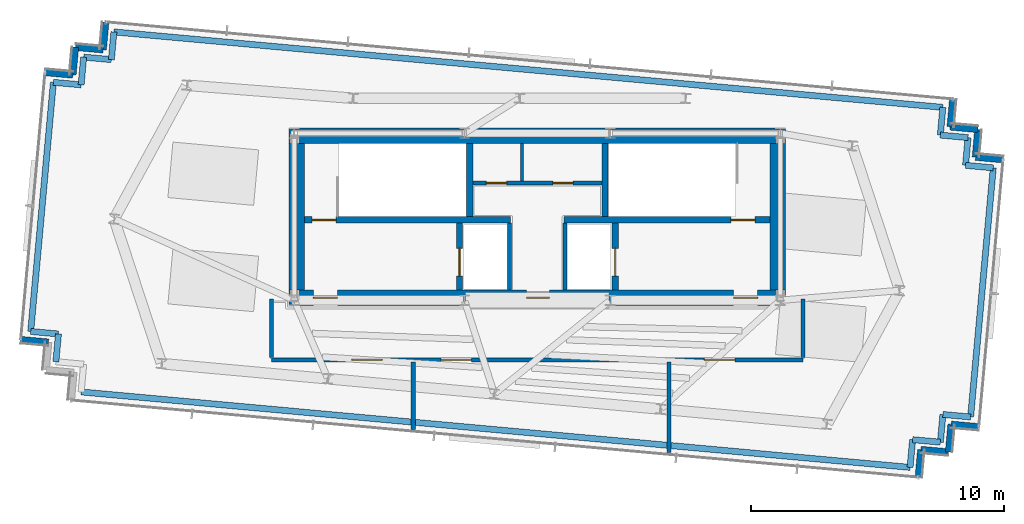
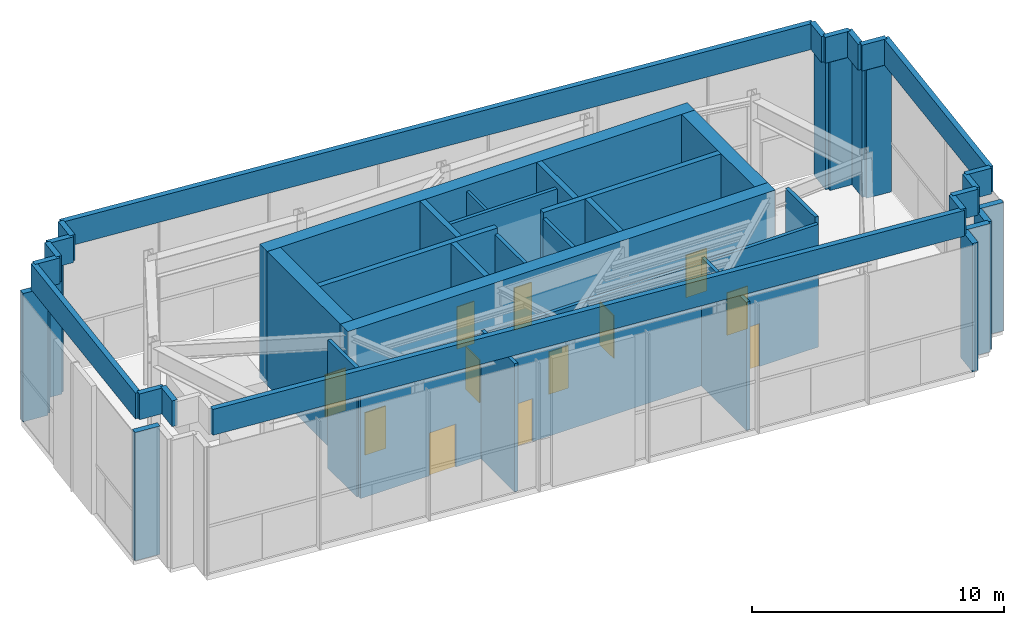
# One storey, part 16 of 18: 50 walls, 12 doors, 12 openings.
"""IFC4 building model written with IfcOpenShell, lengths in metres."""

from ifc_helpers import new_model, si_unit, direction, frame, frame_2d, origin, place, context, subcontext, project, spatial, rectangle, extrude, source, transform, mapped, material, layer, layer_set, type_object, type_shapes, element, fill, save


model = new_model("IFC4")

# Units and contexts
model_context = context("Model", 3, precision=1e-05, world=origin(), true_north=direction((0.0, 1.0)))
body_context = subcontext(model_context, "Body", "Model", "MODEL_VIEW")
ifc_project = project(units=[si_unit("LENGTHUNIT", "METRE"), si_unit("AREAUNIT", "SQUARE_METRE"), si_unit("VOLUMEUNIT", "CUBIC_METRE"), si_unit("PLANEANGLEUNIT", "RADIAN"), si_unit("MASSUNIT", "GRAM", prefix="KILO")], contexts=[model_context])

# Site, building, storey
site_placement = place(None, origin())
site = spatial("IfcSite", under=ifc_project, at=site_placement, CompositionType="ELEMENT")
building_placement = place(site_placement, origin())
building = spatial("IfcBuilding", under=site, at=building_placement, Name="Astriad Promenade Condominiums", CompositionType="ELEMENT")
storey_placement = place(building_placement, frame((0.0, 0.0, 290.300048828125)))
storey = spatial("IfcBuildingStorey", under=building, at=storey_placement, Name="L80", CompositionType="ELEMENT", Elevation=290.300048828125)

# Wall, openings, doors
ifc_material_1 = material(Name="Concrete C50/60", Category="concrete")
ifc_layer_1 = layer(ifc_material_1, 0.60009765625)
ifc_layer_set_1 = layer_set([ifc_layer_1], Name="Concrete C50/60")
wall_type_1 = type_object("IfcWallType", Name="CW-SHEAR-600", PredefinedType="SHEAR", material=ifc_layer_set_1)
wall_1_placement = place(storey_placement, frame((26.199951171875, 17.5, 0.0), z_axis=(0.0, 0.0, 1.0), x_axis=(1.0, 0.0, 0.0)))
wall_1 = element("IfcWall", 1, at=wall_1_placement, inside=storey, type_object=wall_type_1, Name="CW-CORE-S-L80", PredefinedType="SHEAR", context=body_context, shape_type="SweptSolid", body=[
    extrude(rectangle(XDim=19.60009765625, YDim=0.60009765625, at=frame_2d((9.800048828125, 0.0))), origin(), (0.0, 0.0, 1.0), 6.5),
])
opening_1_placement = place(wall_1_placement, frame((0.949951171875, 0.0, 0.0)))
opening_1 = element("IfcOpeningElement", 2, at=opening_1_placement, cuts=wall_1, Name="Opening FD90-ST-095", PredefinedType="OPENING", context=body_context, shape_type="SweptSolid", body=[
    extrude(rectangle(XDim=0.949951171875, YDim=2.06005859375, at=frame_2d((0.47509765625, 1.030029296875))), frame((0.0, 0.31005859375, 0.0), z_axis=(0.0, -1.0, 0.0), x_axis=(1.0, 0.0, 0.0)), (0.0, 0.0, 1.0), 0.6201171875),
])
opening_2_placement = place(wall_1_placement, frame((9.3798828125, 0.0, 0.0)))
opening_2 = element("IfcOpeningElement", 3, at=opening_2_placement, cuts=wall_1, Name="Opening FD60-CSL-090", PredefinedType="OPENING", context=body_context, shape_type="SweptSolid", body=[
    extrude(rectangle(XDim=0.89990234375, YDim=2.06005859375, at=frame_2d((0.449951171875, 1.030029296875))), frame((0.0, 0.31005859375, 0.0), z_axis=(0.0, -1.0, 0.0), x_axis=(1.0, 0.0, 0.0)), (0.0, 0.0, 1.0), 0.6201171875),
])
opening_3_placement = place(wall_1_placement, frame((17.550048828125, 0.0, 0.0)))
opening_3 = element("IfcOpeningElement", 4, at=opening_3_placement, cuts=wall_1, Name="Opening FD90-ST-095", PredefinedType="OPENING", context=body_context, shape_type="SweptSolid", body=[
    extrude(rectangle(XDim=0.949951171875, YDim=2.06005859375, at=frame_2d((0.47509765625, 1.030029296875))), frame((0.0, 0.31005859375, 0.0), z_axis=(0.0, -1.0, 0.0), x_axis=(1.0, 0.0, 0.0)), (0.0, 0.0, 1.0), 0.6201171875),
])
ifc_material_2 = material(Name="Fire-Rated Hollow Metal Stair Door")
door_type_1 = type_object("IfcDoorType", Name="FD90-ST-095", OperationType="NOTDEFINED", PredefinedType="DOOR", material=ifc_material_2)
shared_shape_1 = source(origin(), body_context, "Body", "SweptSolid", [
    extrude(rectangle(XDim=0.949951171875, YDim=2.06005859375, at=frame_2d((0.47509765625, 1.030029296875))), frame((0.0, 0.02490234375, 0.0), z_axis=(0.0, -1.0, 0.0), x_axis=(1.0, 0.0, 0.0)), (0.0, 0.0, 1.0), 0.050048828125),
])
type_shapes(door_type_1, [shared_shape_1])
door_1_placement = place(opening_1_placement, origin())
door_1 = element("IfcDoor", 5, at=door_1_placement, inside=storey, type_object=door_type_1, Name="D-FFW-L80", OperationType="SINGLE_SWING_LEFT", OverallHeight=2.06005859375, OverallWidth=0.949951171875, PredefinedType="DOOR", context=body_context, shape_type="MappedRepresentation", body=[
    mapped(shared_shape_1, transform((0.0, 0.0, 0.0), scale=1.0)),
])
fill(opening_1, door_1)
door_2_placement = place(opening_3_placement, origin())
door_2 = element("IfcDoor", 6, at=door_2_placement, inside=storey, type_object=door_type_1, Name="D-FFE-L80", OperationType="SINGLE_SWING_RIGHT", OverallHeight=2.06005859375, OverallWidth=0.949951171875, PredefinedType="DOOR", context=body_context, shape_type="MappedRepresentation", body=[
    mapped(shared_shape_1, transform((0.0, 0.0, 0.0), scale=1.0)),
])
fill(opening_3, door_2)
ifc_material_3 = material(Name="Fire-Rated Service Lobby Door")
door_type_2 = type_object("IfcDoorType", Name="FD60-CSL-090", OperationType="NOTDEFINED", PredefinedType="DOOR", material=ifc_material_3)
shared_shape_2 = source(origin(), body_context, "Body", "SweptSolid", [
    extrude(rectangle(XDim=0.89990234375, YDim=2.06005859375, at=frame_2d((0.449951171875, 1.030029296875))), frame((0.0, 0.02490234375, 0.0), z_axis=(0.0, -1.0, 0.0), x_axis=(1.0, 0.0, 0.0)), (0.0, 0.0, 1.0), 0.050048828125),
])
type_shapes(door_type_2, [shared_shape_2])
door_3_placement = place(opening_2_placement, origin())
door_3 = element("IfcDoor", 7, at=door_3_placement, inside=storey, type_object=door_type_2, Name="D-CSL-L80", OperationType="SINGLE_SWING_RIGHT", OverallHeight=2.06005859375, OverallWidth=0.89990234375, PredefinedType="DOOR", context=body_context, shape_type="MappedRepresentation", body=[
    mapped(shared_shape_2, transform((0.0, 0.0, 0.0), scale=1.0)),
])
fill(opening_2, door_3)

# Walls
wall_2_placement = place(storey_placement, frame((26.199951171875, 23.89990234375, 0.0), z_axis=(0.0, 0.0, 1.0), x_axis=(1.0, 0.0, 0.0)))
element("IfcWall", 8, at=wall_2_placement, inside=storey, type_object=wall_type_1, Name="CW-CORE-N-L80", PredefinedType="SHEAR", context=body_context, shape_type="SweptSolid", body=[
    extrude(rectangle(XDim=19.60009765625, YDim=0.60009765625, at=frame_2d((9.800048828125, 0.0))), origin(), (0.0, 0.0, 1.0), 6.5),
])
for number, where, z_axis, x_axis, name in (
    (9, (26.5, 17.802001953125, 0.0), (0.0, 0.0, 1.0), (0.0, 1.0, 0.0), "CW-CORE-W-L80"),
    (10, (45.5, 17.802001953125, 0.0), (0.0, 0.0, 1.0), (0.0, 1.0, 0.0), "CW-CORE-E-L80"),
):
    element("IfcWall", number, at=place(storey_placement, frame(where, z_axis=z_axis, x_axis=x_axis)), inside=storey, type_object=wall_type_1, Name=name, PredefinedType="SHEAR", context=body_context, shape_type="SweptSolid", body=[
        extrude(rectangle(XDim=5.7958984375, YDim=0.60009765625, at=frame_2d((2.89794921875, 0.0))), origin(), (0.0, 0.0, 1.0), 6.5),
    ])

# Wall, opening, door
ifc_layer_2 = layer(ifc_material_1, 0.25)
ifc_layer_set_2 = layer_set([ifc_layer_2], Name="Concrete C50/60")
wall_type_2 = type_object("IfcWallType", Name="WALL-CORE-INT-250", PredefinedType="SOLIDWALL", material=ifc_layer_set_2)
wall_3_placement = place(storey_placement, frame((26.802001953125, 20.574951171875, 0.0), z_axis=(0.0, 0.0, 1.0), x_axis=(1.0, 0.0, 0.0)))
wall_3 = element("IfcWall", 11, at=wall_3_placement, inside=storey, type_object=wall_type_2, Name="CW-INT-H1-L80", PredefinedType="SOLIDWALL", context=body_context, shape_type="SweptSolid", body=[
    extrude(rectangle(XDim=8.14794921875, YDim=0.25, at=frame_2d((4.073974609375, 0.0))), origin(), (0.0, 0.0, 1.0), 6.5),
])
opening_4_placement = place(wall_3_placement, frame((0.298095703125, 0.0, 0.0)))
opening_4 = element("IfcOpeningElement", 12, at=opening_4_placement, cuts=wall_3, Name="Opening FD90-ST-095", PredefinedType="OPENING", context=body_context, shape_type="SweptSolid", body=[
    extrude(rectangle(XDim=0.949951171875, YDim=2.06005859375, at=frame_2d((0.47509765625, 1.030029296875))), frame((0.0, 0.135009765625, 0.0), z_axis=(0.0, -1.0, 0.0), x_axis=(1.0, 0.0, 0.0)), (0.0, 0.0, 1.0), 0.27001953125),
])
door_4_placement = place(opening_4_placement, origin())
door_4 = element("IfcDoor", 13, at=door_4_placement, inside=storey, type_object=door_type_1, Name="D-ST1-L80", OperationType="SINGLE_SWING_LEFT", OverallHeight=2.06005859375, OverallWidth=0.949951171875, PredefinedType="DOOR", context=body_context, shape_type="MappedRepresentation", body=[
    mapped(shared_shape_1, transform((0.0, 0.0, 0.0), scale=1.0)),
])
fill(opening_4, door_4)

wall_4_placement = place(storey_placement, frame((37.050048828125, 20.574951171875, 0.0), z_axis=(0.0, 0.0, 1.0), x_axis=(1.0, 0.0, 0.0)))
wall_4 = element("IfcWall", 14, at=wall_4_placement, inside=storey, type_object=wall_type_2, Name="CW-INT-H2-L80", PredefinedType="SOLIDWALL", context=body_context, shape_type="SweptSolid", body=[
    extrude(rectangle(XDim=8.14794921875, YDim=0.25, at=frame_2d((4.073974609375, 0.0))), origin(), (0.0, 0.0, 1.0), 6.5),
])
opening_5_placement = place(wall_4_placement, frame((6.60009765625, 0.0, 0.0)))
opening_5 = element("IfcOpeningElement", 15, at=opening_5_placement, cuts=wall_4, Name="Opening FD90-ST-095", PredefinedType="OPENING", context=body_context, shape_type="SweptSolid", body=[
    extrude(rectangle(XDim=0.949951171875, YDim=2.06005859375, at=frame_2d((0.47509765625, 1.030029296875))), frame((0.0, 0.135009765625, 0.0), z_axis=(0.0, -1.0, 0.0), x_axis=(1.0, 0.0, 0.0)), (0.0, 0.0, 1.0), 0.27001953125),
])
door_5_placement = place(opening_5_placement, origin())
door_5 = element("IfcDoor", 16, at=door_5_placement, inside=storey, type_object=door_type_1, Name="D-ST2-L80", OperationType="SINGLE_SWING_RIGHT", OverallHeight=2.06005859375, OverallWidth=0.949951171875, PredefinedType="DOOR", context=body_context, shape_type="MappedRepresentation", body=[
    mapped(shared_shape_1, transform((0.0, 0.0, 0.0), scale=1.0)),
])
fill(opening_5, door_5)

# Walls
for number, where, z_axis, x_axis, name in (
    (17, (33.324951171875, 20.701904296875, 0.0), (0.0, 0.0, 1.0), (0.0, 1.0, 0.0), "CW-ST1-E-L80"),
    (18, (38.675048828125, 20.701904296875, 0.0), (0.0, 0.0, 1.0), (0.0, 1.0, 0.0), "CW-ST2-W-L80"),
):
    element("IfcWall", number, at=place(storey_placement, frame(where, z_axis=z_axis, x_axis=x_axis)), inside=storey, type_object=wall_type_2, Name=name, PredefinedType="SOLIDWALL", context=body_context, shape_type="SweptSolid", body=[
        extrude(rectangle(XDim=2.89599609375, YDim=0.25, at=frame_2d((1.447998046875, 0.0))), origin(), (0.0, 0.0, 1.0), 6.5),
    ])

# Wall, opening, door
wall_5_placement = place(storey_placement, frame((32.925048828125, 17.802001953125, 0.0), z_axis=(0.0, 0.0, 1.0), x_axis=(0.0, 1.0, 0.0)))
wall_5 = element("IfcWall", 19, at=wall_5_placement, inside=storey, type_object=wall_type_2, Name="CW-FFL1-W-L80", PredefinedType="SOLIDWALL", context=body_context, shape_type="SweptSolid", body=[
    extrude(rectangle(XDim=2.64599609375, YDim=0.25, at=frame_2d((1.322998046875, 0.0))), origin(), (0.0, 0.0, 1.0), 6.5),
])
opening_6_placement = place(wall_5_placement, frame((0.548095703125, 0.0, 0.0)))
opening_6 = element("IfcOpeningElement", 20, at=opening_6_placement, cuts=wall_5, Name="Opening LD-FFL-1122", PredefinedType="OPENING", context=body_context, shape_type="SweptSolid", body=[
    extrude(rectangle(XDim=1.10009765625, YDim=2.080078125, at=frame_2d((0.550048828125, 1.0400390625))), frame((0.0, 0.135009765625, 0.0), z_axis=(0.0, -1.0, 0.0), x_axis=(1.0, 0.0, 0.0)), (0.0, 0.0, 1.0), 0.27001953125),
])
ifc_material_4 = material(Name="Brushed Stainless Steel Fire Elevator Landing Door", Category="steel")
door_type_3 = type_object("IfcDoorType", Name="LD-FFL-1122", OperationType="NOTDEFINED", PredefinedType="DOOR", material=ifc_material_4)
shared_shape_3 = source(origin(), body_context, "Body", "SweptSolid", [
    extrude(rectangle(XDim=1.10009765625, YDim=2.080078125, at=frame_2d((0.550048828125, 1.0400390625))), frame((0.0, 0.02490234375, 0.0), z_axis=(0.0, -1.0, 0.0), x_axis=(1.0, 0.0, 0.0)), (0.0, 0.0, 1.0), 0.050048828125),
])
type_shapes(door_type_3, [shared_shape_3])
door_6_placement = place(opening_6_placement, origin())
door_6 = element("IfcDoor", 21, at=door_6_placement, inside=storey, type_object=door_type_3, Name="Elevator Landing Door FFL-1 (L80)", OperationType="SLIDING_TO_LEFT", OverallHeight=2.080078125, OverallWidth=1.10009765625, PredefinedType="DOOR", context=body_context, shape_type="MappedRepresentation", body=[
    mapped(shared_shape_3, transform((0.0, 0.0, 0.0), scale=1.0)),
])
fill(opening_6, door_6)

wall_6_placement = place(storey_placement, frame((39.074951171875, 17.802001953125, 0.0), z_axis=(0.0, 0.0, 1.0), x_axis=(0.0, 1.0, 0.0)))
wall_6 = element("IfcWall", 22, at=wall_6_placement, inside=storey, type_object=wall_type_2, Name="CW-FFL2-E-L80", PredefinedType="SOLIDWALL", context=body_context, shape_type="SweptSolid", body=[
    extrude(rectangle(XDim=2.64599609375, YDim=0.25, at=frame_2d((1.322998046875, 0.0))), origin(), (0.0, 0.0, 1.0), 6.5),
])
opening_7_placement = place(wall_6_placement, frame((0.548095703125, 0.0, 0.0)))
opening_7 = element("IfcOpeningElement", 23, at=opening_7_placement, cuts=wall_6, Name="Opening LD-FFL-1122", PredefinedType="OPENING", context=body_context, shape_type="SweptSolid", body=[
    extrude(rectangle(XDim=1.10009765625, YDim=2.080078125, at=frame_2d((0.550048828125, 1.0400390625))), frame((0.0, 0.135009765625, 0.0), z_axis=(0.0, -1.0, 0.0), x_axis=(1.0, 0.0, 0.0)), (0.0, 0.0, 1.0), 0.27001953125),
])
door_7_placement = place(opening_7_placement, origin())
door_7 = element("IfcDoor", 24, at=door_7_placement, inside=storey, type_object=door_type_3, Name="Elevator Landing Door FFL-2 (L80)", OperationType="SLIDING_TO_RIGHT", OverallHeight=2.080078125, OverallWidth=1.10009765625, PredefinedType="DOOR", context=body_context, shape_type="MappedRepresentation", body=[
    mapped(shared_shape_3, transform((0.0, 0.0, 0.0), scale=1.0)),
])
fill(opening_7, door_7)

# Walls
ifc_material_5 = material(Name="Fire-Rated Gypsum Partition")
ifc_layer_3 = layer(ifc_material_5, 0.159912109375)
ifc_layer_set_3 = layer_set([ifc_layer_3], Name="Fire-Rated Gypsum Partition")
wall_type_3 = type_object("IfcWallType", Name="WALL-CORR-160", PredefinedType="PARTITIONING", material=ifc_layer_set_3)
for number, where, z_axis, x_axis, name in (
    (25, (34.89990234375, 17.802001953125, 0.0), (0.0, 0.0, 1.0), (0.0, 1.0, 0.0), "CW-FFL1-E-L80"),
    (26, (37.10009765625, 17.802001953125, 0.0), (0.0, 0.0, 1.0), (0.0, 1.0, 0.0), "CW-FFL2-W-L80"),
):
    element("IfcWall", number, at=place(storey_placement, frame(where, z_axis=z_axis, x_axis=x_axis)), inside=storey, type_object=wall_type_3, Name=name, PredefinedType="PARTITIONING", context=body_context, shape_type="SweptSolid", body=[
        extrude(rectangle(XDim=2.64599609375, YDim=0.159912109375, at=frame_2d((1.322998046875, 0.0))), origin(), (0.0, 0.0, 1.0), 6.219970703125),
    ])

# Wall, openings, doors
wall_7_placement = place(storey_placement, frame((33.451904296875, 22.030029296875, 0.0), z_axis=(0.0, 0.0, 1.0), x_axis=(1.0, 0.0, 0.0)))
wall_7 = element("IfcWall", 27, at=wall_7_placement, inside=storey, type_object=wall_type_3, Name="CW-AUX-N-L80", PredefinedType="PARTITIONING", context=body_context, shape_type="SweptSolid", body=[
    extrude(rectangle(XDim=5.09619140625, YDim=0.159912109375, at=frame_2d((2.548095703125, 0.0))), origin(), (0.0, 0.0, 1.0), 6.219970703125),
])
opening_8_placement = place(wall_7_placement, frame((0.5380859375, 0.0, 0.0)))
opening_8 = element("IfcOpeningElement", 28, at=opening_8_placement, cuts=wall_7, Name="Opening FD60-SV-080", PredefinedType="OPENING", context=body_context, shape_type="SweptSolid", body=[
    extrude(rectangle(XDim=0.800048828125, YDim=2.050048828125, at=frame_2d((0.39990234375, 1.02490234375))), frame((0.0, 0.08984375, 0.0), z_axis=(0.0, -1.0, 0.0), x_axis=(1.0, 0.0, 0.0)), (0.0, 0.0, 1.0), 0.179931640625),
])
opening_9_placement = place(wall_7_placement, frame((3.157958984375, 0.0, 0.0)))
opening_9 = element("IfcOpeningElement", 29, at=opening_9_placement, cuts=wall_7, Name="Opening FD60-SV-080", PredefinedType="OPENING", context=body_context, shape_type="SweptSolid", body=[
    extrude(rectangle(XDim=0.800048828125, YDim=2.050048828125, at=frame_2d((0.39990234375, 1.02490234375))), frame((0.0, 0.08984375, 0.0), z_axis=(0.0, -1.0, 0.0), x_axis=(1.0, 0.0, 0.0)), (0.0, 0.0, 1.0), 0.179931640625),
])
ifc_material_6 = material(Name="Fire-Rated Riser Closet Door")
door_type_4 = type_object("IfcDoorType", Name="FD60-SV-080", OperationType="NOTDEFINED", PredefinedType="DOOR", material=ifc_material_6)
shared_shape_4 = source(origin(), body_context, "Body", "SweptSolid", [
    extrude(rectangle(XDim=0.800048828125, YDim=2.050048828125, at=frame_2d((0.39990234375, 1.02490234375))), frame((0.0, 0.02490234375, 0.0), z_axis=(0.0, -1.0, 0.0), x_axis=(1.0, 0.0, 0.0)), (0.0, 0.0, 1.0), 0.050048828125),
])
type_shapes(door_type_4, [shared_shape_4])
door_8_placement = place(opening_8_placement, origin())
door_8 = element("IfcDoor", 30, at=door_8_placement, inside=storey, type_object=door_type_4, Name="D-AUX1-L80", OperationType="SINGLE_SWING_LEFT", OverallHeight=2.050048828125, OverallWidth=0.800048828125, PredefinedType="DOOR", context=body_context, shape_type="MappedRepresentation", body=[
    mapped(shared_shape_4, transform((0.0, 0.0, 0.0), scale=1.0)),
])
fill(opening_8, door_8)
door_9_placement = place(opening_9_placement, origin())
door_9 = element("IfcDoor", 31, at=door_9_placement, inside=storey, type_object=door_type_4, Name="D-AUX2-L80", OperationType="SINGLE_SWING_RIGHT", OverallHeight=2.050048828125, OverallWidth=0.800048828125, PredefinedType="DOOR", context=body_context, shape_type="MappedRepresentation", body=[
    mapped(shared_shape_4, transform((0.0, 0.0, 0.0), scale=1.0)),
])
fill(opening_9, door_9)

wall_8_placement = place(storey_placement, frame((25.5, 15.050048828125, 0.0), z_axis=(0.0, 0.0, 1.0), x_axis=(1.0, 0.0, 0.0)))
wall_8 = element("IfcWall", 32, at=wall_8_placement, inside=storey, type_object=wall_type_3, Name="PT-L80-CS", PredefinedType="PARTITIONING", context=body_context, shape_type="SweptSolid", body=[
    extrude(rectangle(XDim=21.0, YDim=0.159912109375, at=frame_2d((10.5, 0.0))), origin(), (0.0, 0.0, 1.0), 5.947998046875),
])
opening_10_placement = place(wall_8_placement, frame((3.169921875, 0.0, 0.0)))
opening_10 = element("IfcOpeningElement", 33, at=opening_10_placement, cuts=wall_8, Name="Opening FD90-PLT-1222", PredefinedType="OPENING", context=body_context, shape_type="SweptSolid", body=[
    extrude(rectangle(XDim=1.199951171875, YDim=2.080078125, at=frame_2d((0.60009765625, 1.0400390625))), frame((0.0, 0.08984375, 0.0), z_axis=(0.0, -1.0, 0.0), x_axis=(1.0, 0.0, 0.0)), (0.0, 0.0, 1.0), 0.179931640625),
])
opening_11_placement = place(wall_8_placement, frame((6.699951171875, 0.0, 0.0)))
opening_11 = element("IfcOpeningElement", 34, at=opening_11_placement, cuts=wall_8, Name="Opening FD90-PLT-1222", PredefinedType="OPENING", context=body_context, shape_type="SweptSolid", body=[
    extrude(rectangle(XDim=1.199951171875, YDim=2.080078125, at=frame_2d((0.60009765625, 1.0400390625))), frame((0.0, 0.08984375, 0.0), z_axis=(0.0, -1.0, 0.0), x_axis=(1.0, 0.0, 0.0)), (0.0, 0.0, 1.0), 0.179931640625),
])
opening_12_placement = place(wall_8_placement, frame((17.10009765625, 0.0, 0.0)))
opening_12 = element("IfcOpeningElement", 35, at=opening_12_placement, cuts=wall_8, Name="Opening FD90-PLT-1222", PredefinedType="OPENING", context=body_context, shape_type="SweptSolid", body=[
    extrude(rectangle(XDim=1.199951171875, YDim=2.080078125, at=frame_2d((0.60009765625, 1.0400390625))), frame((0.0, 0.08984375, 0.0), z_axis=(0.0, -1.0, 0.0), x_axis=(1.0, 0.0, 0.0)), (0.0, 0.0, 1.0), 0.179931640625),
])
ifc_material_7 = material(Name="Fire-Rated Double-Insulated Plant Door")
door_type_5 = type_object("IfcDoorType", Name="FD90-PLT-1222", OperationType="NOTDEFINED", PredefinedType="DOOR", material=ifc_material_7)
shared_shape_5 = source(origin(), body_context, "Body", "SweptSolid", [
    extrude(rectangle(XDim=1.199951171875, YDim=2.080078125, at=frame_2d((0.60009765625, 1.0400390625))), frame((0.0, 0.02490234375, 0.0), z_axis=(0.0, -1.0, 0.0), x_axis=(1.0, 0.0, 0.0)), (0.0, 0.0, 1.0), 0.050048828125),
])
type_shapes(door_type_5, [shared_shape_5])
door_10_placement = place(opening_10_placement, origin())
door_10 = element("IfcDoor", 36, at=door_10_placement, inside=storey, type_object=door_type_5, Name="D-L80-PW", OperationType="SINGLE_SWING_LEFT", OverallHeight=2.080078125, OverallWidth=1.199951171875, PredefinedType="DOOR", context=body_context, shape_type="MappedRepresentation", body=[
    mapped(shared_shape_5, transform((0.0, 0.0, 0.0), scale=1.0)),
])
fill(opening_10, door_10)
door_11_placement = place(opening_11_placement, origin())
door_11 = element("IfcDoor", 37, at=door_11_placement, inside=storey, type_object=door_type_5, Name="D-L80-PC", OperationType="SINGLE_SWING_RIGHT", OverallHeight=2.080078125, OverallWidth=1.199951171875, PredefinedType="DOOR", context=body_context, shape_type="MappedRepresentation", body=[
    mapped(shared_shape_5, transform((0.0, 0.0, 0.0), scale=1.0)),
])
fill(opening_11, door_11)
door_12_placement = place(opening_12_placement, origin())
door_12 = element("IfcDoor", 38, at=door_12_placement, inside=storey, type_object=door_type_5, Name="D-L80-PE", OperationType="SINGLE_SWING_LEFT", OverallHeight=2.080078125, OverallWidth=1.199951171875, PredefinedType="DOOR", context=body_context, shape_type="MappedRepresentation", body=[
    mapped(shared_shape_5, transform((0.0, 0.0, 0.0), scale=1.0)),
])
fill(opening_12, door_12)

# Walls
for number, where, z_axis, x_axis, name in (
    (39, (25.5, 15.132080078125, 0.0), (0.0, 0.0, 1.0), (0.0, 1.0, 0.0), "PT-L80-CWSP"),
    (40, (46.5, 15.132080078125, 0.0), (0.0, 0.0, 1.0), (0.0, 1.0, 0.0), "PT-L80-CESP"),
):
    element("IfcWall", number, at=place(storey_placement, frame(where, z_axis=z_axis, x_axis=x_axis)), inside=storey, type_object=wall_type_3, Name=name, PredefinedType="PARTITIONING", context=body_context, shape_type="SweptSolid", body=[
        extrude(rectangle(XDim=2.31787109375, YDim=0.159912109375, at=frame_2d((1.158935546875, 0.0))), origin(), (0.0, 0.0, 1.0), 6.219970703125),
    ])
wall_9_placement = place(storey_placement, frame((31.10009765625, 12.30419921875, 0.0), z_axis=(0.0, 0.0, 1.0), x_axis=(0.0, 1.0, 0.0)))
element("IfcWall", 41, at=wall_9_placement, inside=storey, type_object=wall_type_3, Name="PT-L80-VW", PredefinedType="PARTITIONING", context=body_context, shape_type="SweptSolid", body=[
    extrude(rectangle(XDim=2.663818359375, YDim=0.159912109375, at=frame_2d((1.33203125, 0.0))), origin(), (0.0, 0.0, 1.0), 6.219970703125),
])
wall_10_placement = place(storey_placement, frame((41.199951171875, 11.385009765625, 0.0), z_axis=(0.0, 0.0, 1.0), x_axis=(0.0, 1.0, 0.0)))
element("IfcWall", 42, at=wall_10_placement, inside=storey, type_object=wall_type_3, Name="PT-L80-VE", PredefinedType="PARTITIONING", context=body_context, shape_type="SweptSolid", body=[
    extrude(rectangle(XDim=3.5830078125, YDim=0.159912109375, at=frame_2d((1.79150390625, 0.0))), origin(), (0.0, 0.0, 1.0), 6.219970703125),
])
ifc_material_8 = material(Name="Precast concrete C50/60", Category="concrete")
ifc_layer_4 = layer(ifc_material_8, 0.260009765625)
ifc_layer_set_4 = layer_set([ifc_layer_4], Name="Precast concrete C50/60")
wall_type_4 = type_object("IfcWallType", Name="WALL-EXT-TWR-260", PredefinedType="STANDARD", material=ifc_layer_set_4)
for number, where, z_axis, x_axis, name in (
    (43, (16.693359375, 15.744140625, 0.0), (0.0, 0.0, 1.0), (-0.995891387001, 0.090555757944, 0.0), "W-CRN-L80-02"),
    (44, (16.55859375, 26.400146484375, 0.0), (0.0, 0.0, 1.0), (0.995891387001, -0.090555757944, 0.0), "W-CRN-L80-04"),
    (45, (17.654052734375, 26.300537109375, 0.0), (0.0, 0.0, 1.0), (0.090555757944, 0.995891387001, 0.0), "W-CRN-L80-05"),
    (46, (17.753662109375, 27.39599609375, 0.0), (0.0, 0.0, 1.0), (0.995891387001, -0.090555757944, 0.0), "W-CRN-L80-06"),
    (47, (18.84912109375, 27.29638671875, 0.0), (0.0, 0.0, 1.0), (0.09077588162, 0.995871346769, 0.0), "W-CRN-L80-07"),
    (48, (52.41064453125, 25.346435546875, 0.0), (0.0, 0.0, 1.0), (-0.09077588162, -0.995871346769, 0.0), "W-CRN-L80-09"),
):
    element("IfcWall", number, at=place(storey_placement, frame(where, z_axis=z_axis, x_axis=x_axis)), inside=storey, type_object=wall_type_4, Name=name, PredefinedType="STANDARD", context=body_context, shape_type="SweptSolid", body=[
        extrude(rectangle(XDim=1.10009765625, YDim=0.260009765625, at=frame_2d((0.550048828125, 0.0))), origin(), (0.0, 0.0, 1.0), 6.219970703125),
    ])
wall_11_placement = place(storey_placement, frame((52.310791015625, 24.2509765625, 0.0), z_axis=(0.0, 0.0, 1.0), x_axis=(0.995893206468, -0.090535746043, 0.0)))
element("IfcWall", 49, at=wall_11_placement, inside=storey, type_object=wall_type_4, Name="W-CRN-L80-10", PredefinedType="STANDARD", context=body_context, shape_type="SweptSolid", body=[
    extrude(rectangle(XDim=1.100341796875, YDim=0.260009765625, at=frame_2d((0.55029296875, 0.0))), origin(), (0.0, 0.0, 1.0), 6.219970703125),
])
for number, where, z_axis, x_axis, name in (
    (50, (53.406494140625, 24.1513671875, 0.0), (0.0, 0.0, 1.0), (-0.09077588162, -0.995871346769, 0.0), "W-CRN-L80-11"),
    (51, (53.306640625, 23.055908203125, 0.0), (0.0, 0.0, 1.0), (0.995891387001, -0.090555757944, 0.0), "W-CRN-L80-12"),
    (52, (53.44140625, 12.39990234375, 0.0), (0.0, 0.0, 1.0), (-0.995891387001, 0.090555757944, 0.0), "W-CRN-L80-14"),
    (53, (52.345947265625, 12.49951171875, 0.0), (0.0, 0.0, 1.0), (-0.090555757944, -0.995891387001, 0.0), "W-CRN-L80-15"),
    (54, (52.246337890625, 11.404052734375, 0.0), (0.0, 0.0, 1.0), (-0.995891387001, 0.090555757944, 0.0), "W-CRN-L80-16"),
    (55, (51.15087890625, 11.503662109375, 0.0), (0.0, 0.0, 1.0), (-0.09077588162, -0.995871346769, 0.0), "W-CRN-L80-17"),
):
    element("IfcWall", number, at=place(storey_placement, frame(where, z_axis=z_axis, x_axis=x_axis)), inside=storey, type_object=wall_type_4, Name=name, PredefinedType="STANDARD", context=body_context, shape_type="SweptSolid", body=[
        extrude(rectangle(XDim=1.10009765625, YDim=0.260009765625, at=frame_2d((0.550048828125, 0.0))), origin(), (0.0, 0.0, 1.0), 6.219970703125),
    ])
ifc_material_9 = material(Name="Precast concrete C45/55", Category="concrete")
ifc_layer_5 = layer(ifc_material_9, 0.239990234375)
ifc_layer_set_5 = layer_set([ifc_layer_5], Name="Precast concrete C45/55")
wall_type_5 = type_object("IfcWallType", Name="WALL-PARAPET-240", PredefinedType="PARAPET", material=ifc_layer_set_5)
for number, where, z_axis, x_axis, name in (
    (56, (16.984619140625, 14.974609375, 6.5), (0.0, 0.0, 1.0), (0.09077588162, 0.995871346769, 0.0), "W-PAR-ROOF-01"),
    (57, (17.08447265625, 16.070068359375, 6.5), (0.0, 0.0, 1.0), (-0.995891387001, 0.090555757944, 0.0), "W-PAR-ROOF-02"),
):
    element("IfcWall", number, at=place(storey_placement, frame(where, z_axis=z_axis, x_axis=x_axis)), inside=storey, type_object=wall_type_5, Name=name, PredefinedType="PARAPET", context=body_context, shape_type="SweptSolid", body=[
        extrude(rectangle(XDim=1.10009765625, YDim=0.239990234375, at=frame_2d((0.550048828125, 0.0))), origin(), (0.0, 0.0, 1.0), 1.25),
    ])
wall_12_placement = place(storey_placement, frame((15.989013671875, 16.169677734375, 6.5), z_axis=(0.0, 0.0, 1.0), x_axis=(0.09063823351, 0.995883884108, 0.0)))
element("IfcWall", 58, at=wall_12_placement, inside=storey, type_object=wall_type_5, Name="W-PAR-ROOF-03", PredefinedType="PARAPET", context=body_context, shape_type="SweptSolid", body=[
    extrude(rectangle(XDim=9.880126953125, YDim=0.239990234375, at=frame_2d((4.93994140625, 0.0))), origin(), (0.0, 0.0, 1.0), 1.25),
])
for number, where, z_axis, x_axis, name in (
    (59, (16.884521484375, 26.009033203125, 6.5), (0.0, 0.0, 1.0), (0.995891387001, -0.090555757944, 0.0), "W-PAR-ROOF-04"),
    (60, (17.97998046875, 25.909423828125, 6.5), (0.0, 0.0, 1.0), (0.090555757944, 0.995891387001, 0.0), "W-PAR-ROOF-05"),
    (61, (18.07958984375, 27.0048828125, 6.5), (0.0, 0.0, 1.0), (0.995891387001, -0.090555757944, 0.0), "W-PAR-ROOF-06"),
    (62, (19.175048828125, 26.9052734375, 6.5), (0.0, 0.0, 1.0), (0.09077588162, 0.995871346769, 0.0), "W-PAR-ROOF-07"),
):
    element("IfcWall", number, at=place(storey_placement, frame(where, z_axis=z_axis, x_axis=x_axis)), inside=storey, type_object=wall_type_5, Name=name, PredefinedType="PARAPET", context=body_context, shape_type="SweptSolid", body=[
        extrude(rectangle(XDim=1.10009765625, YDim=0.239990234375, at=frame_2d((0.550048828125, 0.0))), origin(), (0.0, 0.0, 1.0), 1.25),
    ])
wall_13_placement = place(storey_placement, frame((19.27490234375, 28.000732421875, 6.5), z_axis=(0.0, 0.0, 1.0), x_axis=(0.995883767395, -0.090639515878, 0.0)))
element("IfcWall", 63, at=wall_13_placement, inside=storey, type_object=wall_type_5, Name="W-PAR-ROOF-08", PredefinedType="PARAPET", context=body_context, shape_type="SweptSolid", body=[
    extrude(rectangle(XDim=32.8798828125, YDim=0.239990234375, at=frame_2d((16.43994140625, 0.0))), origin(), (0.0, 0.0, 1.0), 1.25),
])
for number, where, z_axis, x_axis, name in (
    (64, (52.01953125, 25.0205078125, 6.5), (0.0, 0.0, 1.0), (-0.090555757944, -0.995891387001, 0.0), "W-PAR-ROOF-09"),
    (65, (51.919921875, 23.925048828125, 6.5), (0.0, 0.0, 1.0), (0.995891387001, -0.090555757944, 0.0), "W-PAR-ROOF-10"),
    (66, (53.015380859375, 23.825439453125, 6.5), (0.0, 0.0, 1.0), (-0.09077588162, -0.995871346769, 0.0), "W-PAR-ROOF-11"),
    (67, (52.91552734375, 22.72998046875, 6.5), (0.0, 0.0, 1.0), (0.995891387001, -0.090555757944, 0.0), "W-PAR-ROOF-12"),
):
    element("IfcWall", number, at=place(storey_placement, frame(where, z_axis=z_axis, x_axis=x_axis)), inside=storey, type_object=wall_type_5, Name=name, PredefinedType="PARAPET", context=body_context, shape_type="SweptSolid", body=[
        extrude(rectangle(XDim=1.10009765625, YDim=0.239990234375, at=frame_2d((0.550048828125, 0.0))), origin(), (0.0, 0.0, 1.0), 1.25),
    ])
wall_14_placement = place(storey_placement, frame((54.010986328125, 22.63037109375, 6.5), z_axis=(0.0, 0.0, 1.0), x_axis=(-0.09063823351, -0.995883884108, 0.0)))
element("IfcWall", 68, at=wall_14_placement, inside=storey, type_object=wall_type_5, Name="W-PAR-ROOF-13", PredefinedType="PARAPET", context=body_context, shape_type="SweptSolid", body=[
    extrude(rectangle(XDim=9.880126953125, YDim=0.239990234375, at=frame_2d((4.93994140625, 0.0))), origin(), (0.0, 0.0, 1.0), 1.25),
])
for number, where, z_axis, x_axis, name in (
    (69, (53.115478515625, 12.791015625, 6.5), (0.0, 0.0, 1.0), (-0.995891387001, 0.090555757944, 0.0), "W-PAR-ROOF-14"),
    (70, (52.02001953125, 12.890625, 6.5), (0.0, 0.0, 1.0), (-0.090555757944, -0.995891387001, 0.0), "W-PAR-ROOF-15"),
    (71, (51.92041015625, 11.795166015625, 6.5), (0.0, 0.0, 1.0), (-0.995891387001, 0.090555757944, 0.0), "W-PAR-ROOF-16"),
    (72, (50.824951171875, 11.894775390625, 6.5), (0.0, 0.0, 1.0), (-0.09077588162, -0.995871346769, 0.0), "W-PAR-ROOF-17"),
):
    element("IfcWall", number, at=place(storey_placement, frame(where, z_axis=z_axis, x_axis=x_axis)), inside=storey, type_object=wall_type_5, Name=name, PredefinedType="PARAPET", context=body_context, shape_type="SweptSolid", body=[
        extrude(rectangle(XDim=1.10009765625, YDim=0.239990234375, at=frame_2d((0.550048828125, 0.0))), origin(), (0.0, 0.0, 1.0), 1.25),
    ])
wall_15_placement = place(storey_placement, frame((50.72509765625, 10.79931640625, 6.5), z_axis=(0.0, 0.0, 1.0), x_axis=(-0.995884437615, 0.090632151664, 0.0)))
element("IfcWall", 73, at=wall_15_placement, inside=storey, type_object=wall_type_5, Name="W-PAR-ROOF-18", PredefinedType="PARAPET", context=body_context, shape_type="SweptSolid", body=[
    extrude(rectangle(XDim=32.8798828125, YDim=0.239990234375, at=frame_2d((16.43994140625, 0.0))), origin(), (0.0, 0.0, 1.0), 1.25),
])
ifc_material_10 = material(Name="Acoustic Metal-Stud Gypsum Partition")
ifc_layer_6 = layer(ifc_material_10, 0.1201171875)
ifc_layer_set_6 = layer_set([ifc_layer_6], Name="Acoustic Metal-Stud Gypsum Partition")
wall_type_6 = type_object("IfcWallType", Name="WALL-PART-120", PredefinedType="PARTITIONING", material=ifc_layer_set_6)
wall_16_placement = place(storey_placement, frame((35.39990234375, 22.112060546875, 0.0), z_axis=(0.0, 0.0, 1.0), x_axis=(0.0, 1.0, 0.0)))
element("IfcWall", 74, at=wall_16_placement, inside=storey, type_object=wall_type_6, Name="CW-AUX-V1-L80", PredefinedType="PARTITIONING", context=body_context, shape_type="SweptSolid", body=[
    extrude(rectangle(XDim=1.48583984375, YDim=0.1201171875, at=frame_2d((0.742919921875, 0.0))), origin(), (0.0, 0.0, 1.0), 6.219970703125),
])

save(model, "model.ifc")
